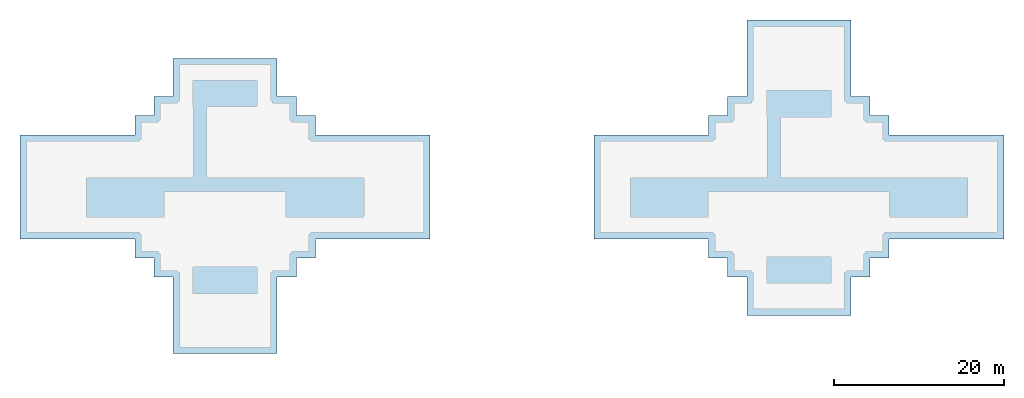
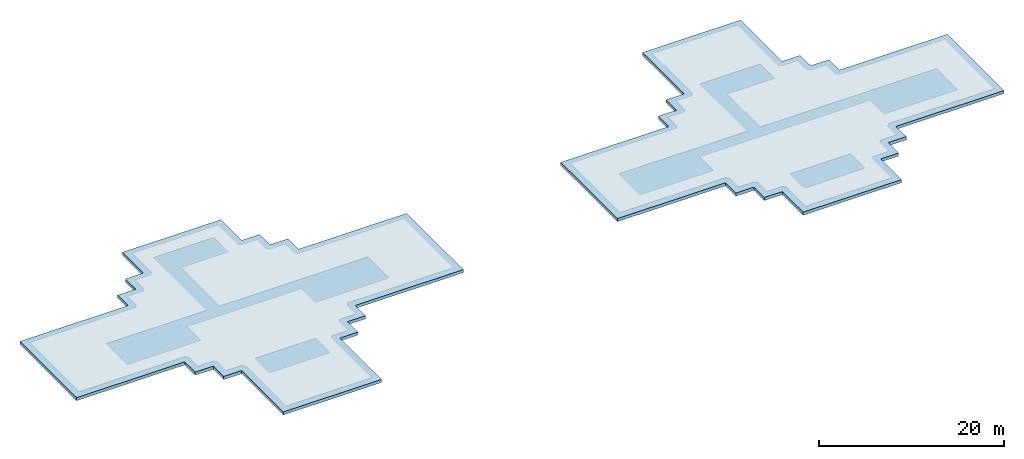
# One storey, part 1 of 3: 2 slabs.
"""IFC4 building model written with IfcOpenShell, lengths in metres."""

from ifc_helpers import new_model, si_unit, direction, frame, origin, place, context, subcontext, project, spatial, polyline, outline, extrude, material, layer, layer_set, type_object, element, save


model = new_model("IFC4")

# Units and contexts
model_context = context("Model", 3, precision=1e-05, world=origin(), true_north=direction((0.0, 1.0)))
body_context = subcontext(model_context, "Body", "Model", "MODEL_VIEW")
ifc_project = project(units=[si_unit("LENGTHUNIT", "METRE"), si_unit("AREAUNIT", "SQUARE_METRE"), si_unit("VOLUMEUNIT", "CUBIC_METRE"), si_unit("PLANEANGLEUNIT", "RADIAN"), si_unit("MASSUNIT", "GRAM", prefix="KILO")], contexts=[model_context])

# Site, building, storey
site_placement = place(None, origin())
site = spatial("IfcSite", under=ifc_project, at=site_placement, CompositionType="ELEMENT")
building_placement = place(site_placement, origin())
building = spatial("IfcBuilding", under=site, at=building_placement, Name="Shamsa Quay Exchange Towers", CompositionType="ELEMENT")
storey_placement = place(building_placement, frame((0.0, 0.0, 311.199951171875)))
storey = spatial("IfcBuildingStorey", under=building, at=storey_placement, Name="Roof Crown", CompositionType="ELEMENT", Elevation=311.199951171875)

# Slabs
ifc_material = material(Name="Concrete C40/50", Category="concrete")
ifc_layer = layer(ifc_material, 0.39990234375)
ifc_layer_set = layer_set([ifc_layer], Name="Crown roof slab 400")
slab_type = type_object("IfcSlabType", Name="Crown roof slab 400", PredefinedType="ROOF", material=ifc_layer_set)
slab_1_placement = place(storey_placement, origin())
element("IfcSlab", 1, at=slab_1_placement, inside=storey, type_object=slab_type, Name="Crown roof slab T1", PredefinedType="ROOF", context=body_context, shape_type="SweptSolid", body=[
    extrude(outline(polyline([(-39.878173828125, -19.628173828125), (-27.621826171875, -19.628173828125), (-27.621826171875, -10.628173828125), (-25.371826171875, -10.628173828125), (-25.371826171875, -8.378173828125), (-23.121826171875, -8.378173828125), (-23.121826171875, -6.128173828125), (-9.621826171875, -6.128173828125), (-9.621826171875, 6.128173828125), (-23.121826171875, 6.128173828125), (-23.121826171875, 8.378173828125), (-25.371826171875, 8.378173828125), (-25.371826171875, 10.628173828125), (-27.621826171875, 10.628173828125), (-27.621826171875, 15.128173828125), (-39.878173828125, 15.128173828125), (-39.878173828125, 10.628173828125), (-42.128173828125, 10.628173828125), (-42.128173828125, 8.378173828125), (-44.378173828125, 8.378173828125), (-44.378173828125, 6.128173828125), (-57.878173828125, 6.128173828125), (-57.878173828125, -6.128173828125), (-44.378173828125, -6.128173828125), (-44.378173828125, -8.378173828125), (-42.128173828125, -8.378173828125), (-42.128173828125, -10.628173828125), (-39.878173828125, -10.628173828125), (-39.878173828125, -19.628173828125)])), origin(), (0.0, 0.0, 1.0), 0.400146484375),
])
slab_2_placement = place(storey_placement, origin())
element("IfcSlab", 2, at=slab_2_placement, inside=storey, type_object=slab_type, Name="Crown roof slab T2", PredefinedType="ROOF", context=body_context, shape_type="SweptSolid", body=[
    extrude(outline(polyline([(27.621826171875, -15.128173828125), (39.878173828125, -15.128173828125), (39.878173828125, -10.628173828125), (42.128173828125, -10.628173828125), (42.128173828125, -8.378173828125), (44.378173828125, -8.378173828125), (44.378173828125, -6.128173828125), (57.878173828125, -6.128173828125), (57.878173828125, 6.128173828125), (44.378173828125, 6.128173828125), (44.378173828125, 8.378173828125), (42.128173828125, 8.378173828125), (42.128173828125, 10.628173828125), (39.878173828125, 10.628173828125), (39.878173828125, 19.628173828125), (27.621826171875, 19.628173828125), (27.621826171875, 10.628173828125), (25.371826171875, 10.628173828125), (25.371826171875, 8.378173828125), (23.121826171875, 8.378173828125), (23.121826171875, 6.128173828125), (9.621826171875, 6.128173828125), (9.621826171875, -6.128173828125), (23.121826171875, -6.128173828125), (23.121826171875, -8.378173828125), (25.371826171875, -8.378173828125), (25.371826171875, -10.628173828125), (27.621826171875, -10.628173828125), (27.621826171875, -15.128173828125)])), origin(), (0.0, 0.0, 1.0), 0.400146484375),
])

save(model, "model.ifc")
